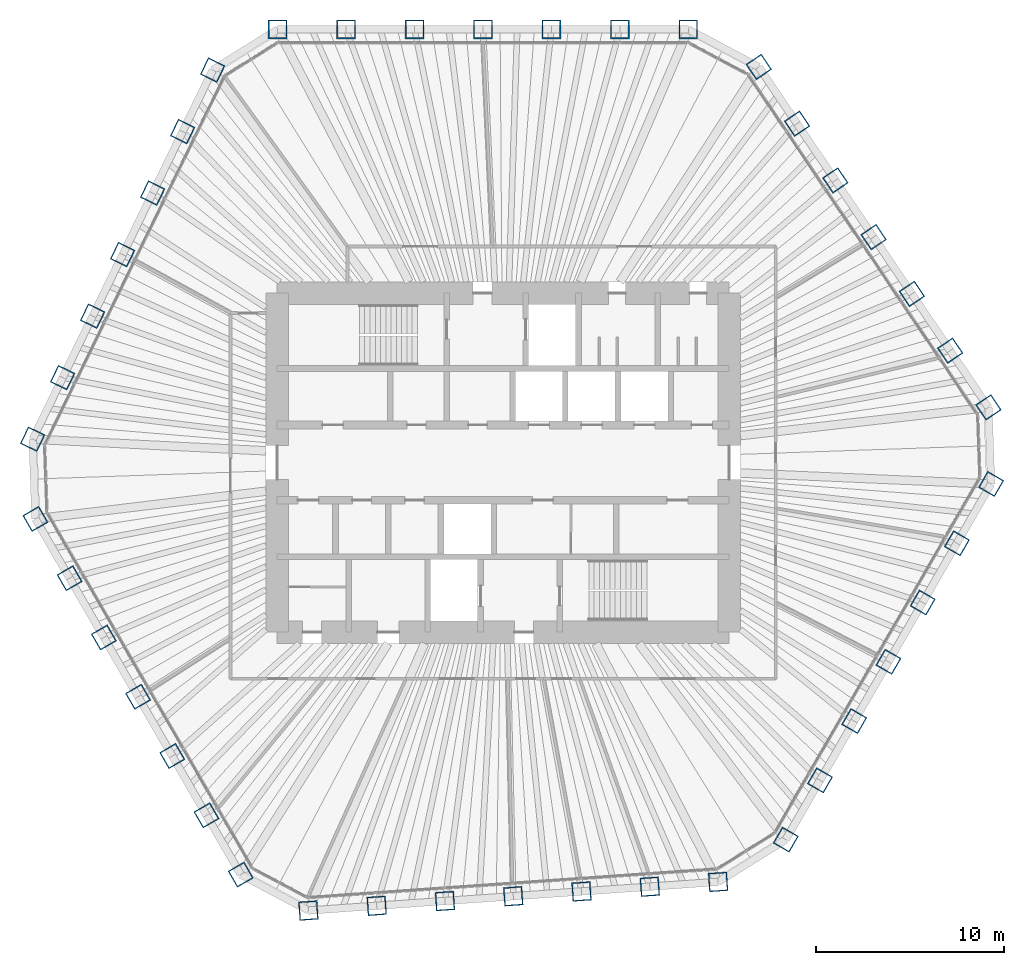
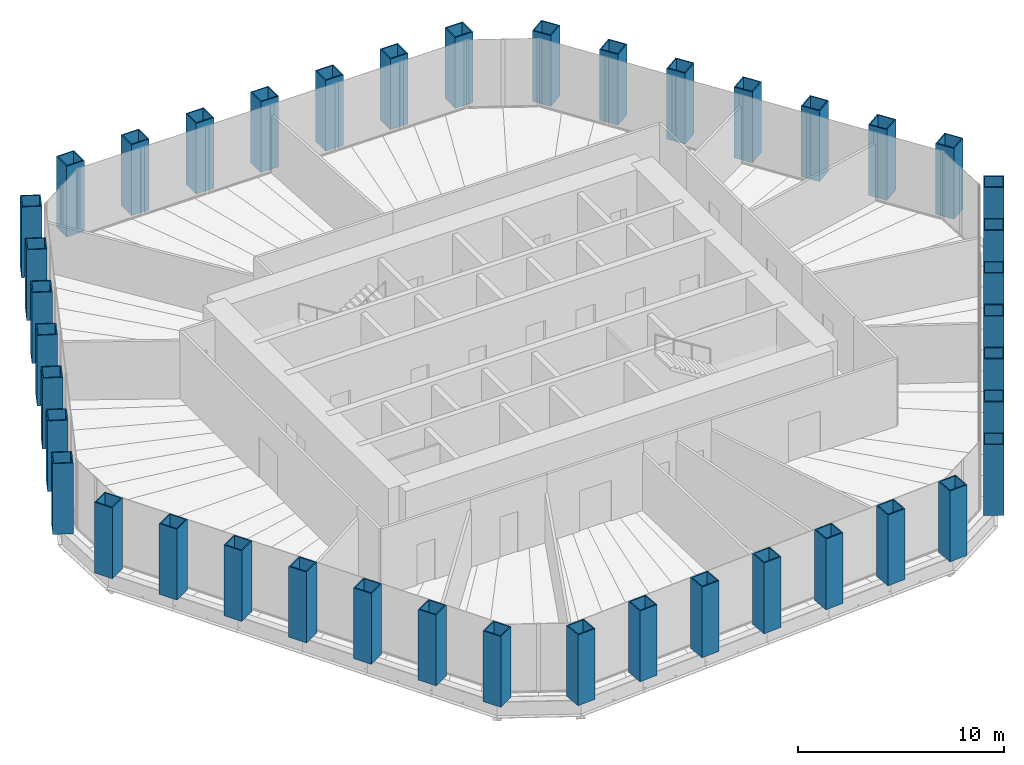
# One storey, part 1 of 13: 42 columns.
"""IFC4 building model written with IfcOpenShell, lengths in metres."""

from ifc_helpers import new_model, si_unit, direction, frame, origin, origin_2d, place, context, subcontext, project, spatial, hollow_rectangle, extrude, material, material_profile, profile_set, type_object, element, save


model = new_model("IFC4")

# Units and contexts
model_context = context("Model", 3, precision=1e-05, world=origin(), true_north=direction((0.0, 1.0)))
body_context = subcontext(model_context, "Body", "Model", "MODEL_VIEW")
ifc_project = project(units=[si_unit("LENGTHUNIT", "METRE"), si_unit("AREAUNIT", "SQUARE_METRE"), si_unit("VOLUMEUNIT", "CUBIC_METRE"), si_unit("PLANEANGLEUNIT", "RADIAN"), si_unit("MASSUNIT", "GRAM", prefix="KILO")], contexts=[model_context])

# Site, building, storey
site_placement = place(None, origin())
site = spatial("IfcSite", under=ifc_project, at=site_placement, CompositionType="ELEMENT")
building_placement = place(site_placement, origin())
building = spatial("IfcBuilding", under=site, at=building_placement, Name="Qingtian Harvest Tower", CompositionType="ELEMENT")
storey_placement = place(building_placement, frame((0.0, 0.0, 222.39990234375)))
storey = spatial("IfcBuildingStorey", under=building, at=storey_placement, Name="L48", CompositionType="ELEMENT", Elevation=222.39990234375)

# Columns
ifc_material = material(Name="Steel SM570MC", Category="steel")
ifc_material_profile = material_profile(ifc_material, hollow_rectangle(XDim=1.0, YDim=1.0, WallThickness=0.06005859375, at=origin_2d()), Name="BOX1000x1000x60")
ifc_profile_set = profile_set([ifc_material_profile], Name="Steel SM570MC")
column_type = type_object("IfcColumnType", Name="Tube column TC6 BOX1000x1000x60", PredefinedType="COLUMN", material=ifc_profile_set)
for number, where, z_axis, x_axis, name in (
    (1, (-11.971923828125, 23.0, 0.0), (0.0, 0.0, 1.0), (-1.0, 0.0, 0.0), "Tube column TC6 N0"),
    (2, (-8.33837890625, 23.0, 0.0), (0.0, 0.0, 1.0), (-1.0, 0.0, 0.0), "Tube column TC6 N1"),
    (3, (-4.704833984375, 23.0, 0.0), (0.0, 0.0, 1.0), (-1.0, 0.0, 0.0), "Tube column TC6 N2"),
    (4, (-1.0712890625, 23.0, 0.0), (0.0, 0.0, 1.0), (-1.0, 0.0, 0.0), "Tube column TC6 N3"),
    (5, (2.562255859375, 23.0, 0.0), (0.0, 0.0, 1.0), (-1.0, 0.0, 0.0), "Tube column TC6 N4"),
    (6, (6.19580078125, 23.0, 0.0), (0.0, 0.0, 1.0), (-1.0, 0.0, 0.0), "Tube column TC6 N5"),
    (7, (9.829345703125, 23.0, 0.0), (0.0, 0.0, 1.0), (-1.0, 0.0, 0.0), "Tube column TC6 N6"),
    (8, (13.5712890625, 21.01025390625, 0.0), (0.0, 0.0, 1.0), (-0.559192903471, 0.829037572555, 0.0), "Tube column TC6 NE0"),
    (9, (15.603271484375, 17.998046875, 0.0), (0.0, 0.0, 1.0), (-0.559192903471, 0.829037572555, 0.0), "Tube column TC6 NE1"),
    (10, (17.635009765625, 14.985595703125, 0.0), (0.0, 0.0, 1.0), (-0.559192903471, 0.829037572555, 0.0), "Tube column TC6 NE2"),
    (11, (19.6669921875, 11.97314453125, 0.0), (0.0, 0.0, 1.0), (-0.559192903471, 0.829037572555, 0.0), "Tube column TC6 NE3"),
    (12, (21.69873046875, 8.9609375, 0.0), (0.0, 0.0, 1.0), (-0.559192903471, 0.829037572555, 0.0), "Tube column TC6 NE4"),
    (13, (23.730712890625, 5.948486328125, 0.0), (0.0, 0.0, 1.0), (-0.559192903471, 0.829037572555, 0.0), "Tube column TC6 NE5"),
    (14, (25.762451171875, 2.936279296875, 0.0), (0.0, 0.0, 1.0), (-0.559192903471, 0.829037572555, 0.0), "Tube column TC6 NE6"),
    (15, (25.904541015625, -1.1318359375, 0.0), (0.0, 0.0, 1.0), (0.5, 0.866025403784, 0.0), "Tube column TC6 SE0"),
    (16, (24.087890625, -4.27880859375, 0.0), (0.0, 0.0, 1.0), (0.5, 0.866025403784, 0.0), "Tube column TC6 SE1"),
    (17, (22.27099609375, -7.425537109375, 0.0), (0.0, 0.0, 1.0), (0.5, 0.866025403784, 0.0), "Tube column TC6 SE2"),
    (18, (20.454345703125, -10.572265625, 0.0), (0.0, 0.0, 1.0), (0.5, 0.866025403784, 0.0), "Tube column TC6 SE3"),
    (19, (18.637451171875, -13.718994140625, 0.0), (0.0, 0.0, 1.0), (0.5, 0.866025403784, 0.0), "Tube column TC6 SE4"),
    (20, (16.82080078125, -16.86572265625, 0.0), (0.0, 0.0, 1.0), (0.5, 0.866025403784, 0.0), "Tube column TC6 SE5"),
    (21, (15.00390625, -20.012451171875, 0.0), (0.0, 0.0, 1.0), (0.5, 0.866025403784, 0.0), "Tube column TC6 SE6"),
    (22, (11.40966796875, -22.25830078125, 0.0), (0.0, 0.0, 1.0), (0.99756405026, 0.069756473744, 0.0), "Tube column TC6 S0"),
    (23, (7.78515625, -22.51171875, 0.0), (0.0, 0.0, 1.0), (0.99756405026, 0.069756473744, 0.0), "Tube column TC6 S1"),
    (24, (4.160400390625, -22.76513671875, 0.0), (0.0, 0.0, 1.0), (0.99756405026, 0.069756473744, 0.0), "Tube column TC6 S2"),
    (25, (0.53564453125, -23.018798828125, 0.0), (0.0, 0.0, 1.0), (0.99756405026, 0.069756473744, 0.0), "Tube column TC6 S3"),
    (26, (-3.089111328125, -23.272216796875, 0.0), (0.0, 0.0, 1.0), (0.99756405026, 0.069756473744, 0.0), "Tube column TC6 S4"),
    (27, (-6.713623046875, -23.525634765625, 0.0), (0.0, 0.0, 1.0), (0.99756405026, 0.069756473744, 0.0), "Tube column TC6 S5"),
    (28, (-10.33837890625, -23.779052734375, 0.0), (0.0, 0.0, 1.0), (0.99756405026, 0.069756473744, 0.0), "Tube column TC6 S6"),
    (29, (-13.9326171875, -21.8681640625, 0.0), (0.0, 0.0, 1.0), (0.5, -0.866025403784, 0.0), "Tube column TC6 SW0"),
    (30, (-15.749267578125, -18.72119140625, 0.0), (0.0, 0.0, 1.0), (0.5, -0.866025403784, 0.0), "Tube column TC6 SW1"),
    (31, (-17.566162109375, -15.574462890625, 0.0), (0.0, 0.0, 1.0), (0.5, -0.866025403784, 0.0), "Tube column TC6 SW2"),
    (32, (-19.3828125, -12.427734375, 0.0), (0.0, 0.0, 1.0), (0.5, -0.866025403784, 0.0), "Tube column TC6 SW3"),
    (33, (-21.19970703125, -9.281005859375, 0.0), (0.0, 0.0, 1.0), (0.5, -0.866025403784, 0.0), "Tube column TC6 SW4"),
    (34, (-23.016357421875, -6.13427734375, 0.0), (0.0, 0.0, 1.0), (0.5, -0.866025403784, 0.0), "Tube column TC6 SW5"),
    (35, (-24.833251953125, -2.987548828125, 0.0), (0.0, 0.0, 1.0), (0.5, -0.866025403784, 0.0), "Tube column TC6 SW6"),
    (36, (-24.981201171875, 1.248046875, 0.0), (0.0, 0.0, 1.0), (-0.438371146789, -0.898794046299, 0.0), "Tube column TC6 NW0"),
    (37, (-23.388427734375, 4.513916015625, 0.0), (0.0, 0.0, 1.0), (-0.438371146789, -0.898794046299, 0.0), "Tube column TC6 NW1"),
    (38, (-21.79541015625, 7.779541015625, 0.0), (0.0, 0.0, 1.0), (-0.438371146789, -0.898794046299, 0.0), "Tube column TC6 NW2"),
    (39, (-20.20263671875, 11.04541015625, 0.0), (0.0, 0.0, 1.0), (-0.438371146789, -0.898794046299, 0.0), "Tube column TC6 NW3"),
    (40, (-18.60986328125, 14.311279296875, 0.0), (0.0, 0.0, 1.0), (-0.438371146789, -0.898794046299, 0.0), "Tube column TC6 NW4"),
    (41, (-17.016845703125, 17.5771484375, 0.0), (0.0, 0.0, 1.0), (-0.438371146789, -0.898794046299, 0.0), "Tube column TC6 NW5"),
    (42, (-15.424072265625, 20.8427734375, 0.0), (0.0, 0.0, 1.0), (-0.438371146789, -0.898794046299, 0.0), "Tube column TC6 NW6"),
):
    element("IfcColumn", number, at=place(storey_placement, frame(where, z_axis=z_axis, x_axis=x_axis)), inside=storey, type_object=column_type, Name=name, PredefinedType="COLUMN", context=body_context, shape_type="SweptSolid", body=[
        extrude(hollow_rectangle(XDim=1.0, YDim=1.0, WallThickness=0.06005859375, at=origin_2d()), origin(), (0.0, 0.0, 1.0), 4.2001953125),
    ])

save(model, "model.ifc")
